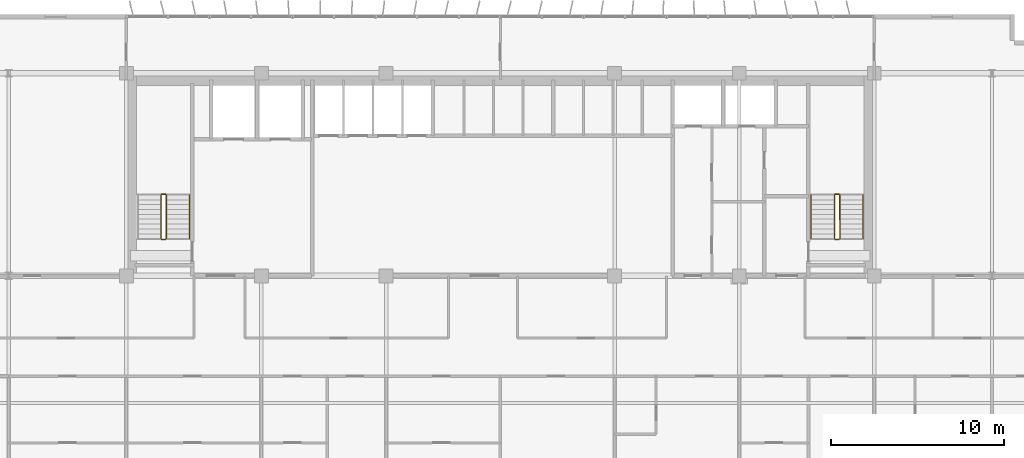
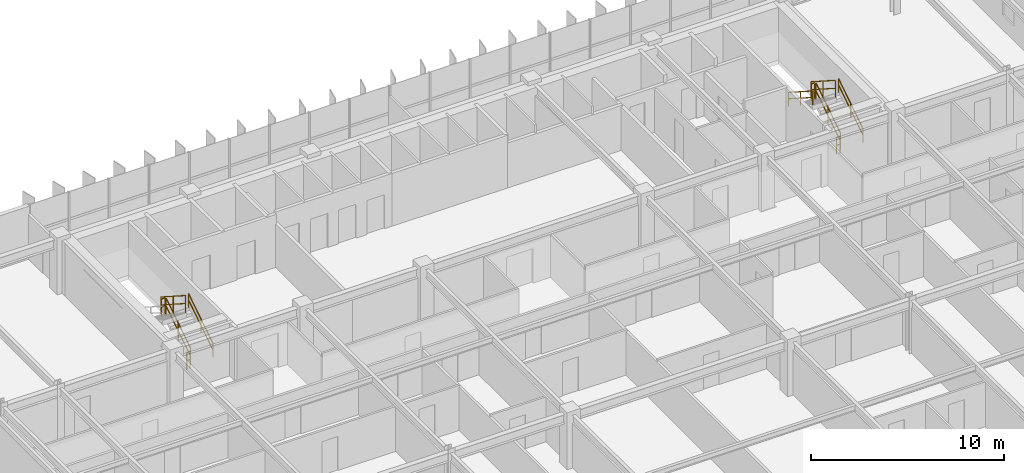
# One storey, part 20 of 21: 11 railings.
"""IFC4 building model written with IfcOpenShell, lengths in metres."""

from ifc_helpers import new_model, si_unit, direction, frame, origin, origin_2d, place, context, subcontext, project, spatial, rectangle, extrude, material, type_object, element, save


model = new_model("IFC4")

# Units and contexts
model_context = context("Model", 3, precision=1e-05, world=origin(), true_north=direction((0.0, 1.0)))
body_context = subcontext(model_context, "Body", "Model", "MODEL_VIEW")
ifc_project = project(units=[si_unit("LENGTHUNIT", "METRE"), si_unit("AREAUNIT", "SQUARE_METRE"), si_unit("VOLUMEUNIT", "CUBIC_METRE"), si_unit("PLANEANGLEUNIT", "RADIAN"), si_unit("MASSUNIT", "GRAM", prefix="KILO")], contexts=[model_context])

# Site, building, storey
site_placement = place(None, origin())
site = spatial("IfcSite", under=ifc_project, at=site_placement, CompositionType="ELEMENT")
building_placement = place(site_placement, origin())
building = spatial("IfcBuilding", under=site, at=building_placement, Name="Trelvane Seafront Commons", CompositionType="ELEMENT")
storey_placement = place(building_placement, frame((0.0, 0.0, 103.300048828125)))
storey = spatial("IfcBuildingStorey", under=building, at=storey_placement, Name="L26", CompositionType="ELEMENT", Elevation=103.300048828125)

# Railings
ifc_material = material(Name="Stainless steel balustrade", Category="steel")
railing_type_1 = type_object("IfcRailingType", Name="ARCH-SRL-GUARD", PredefinedType="GUARDRAIL", material=ifc_material)
railing_1_placement = place(storey_placement, frame((17.89990234375, 35.550048828125, 0.179931640625)))
element("IfcRailing", 1, at=railing_1_placement, inside=storey, type_object=railing_type_1, Name="L26 ST-1 stair guard 1", PredefinedType="GUARDRAIL", context=body_context, shape_type="SweptSolid", body=[
    extrude(rectangle(XDim=0.048095703125, YDim=0.048095703125, at=origin_2d()), frame((0.0, 0.0, 1.076171875), z_axis=(0.0, 0.841162588446, 0.540782303519), x_axis=(-1.0, 0.0, 0.0)), (0.0, 0.0, 1.0), 2.995849609375),
    extrude(rectangle(XDim=0.048095703125, YDim=0.048095703125, at=origin_2d()), frame((0.0, 0.0, 0.572021484375), z_axis=(0.0, 0.841162588446, 0.540782303519), x_axis=(-1.0, 0.0, 0.0)), (0.0, 0.0, 1.0), 2.995849609375),
    extrude(rectangle(XDim=0.0419921875, YDim=0.0419921875, at=origin_2d()), origin(), (0.0, 0.0, 1.0), 1.076171875),
    extrude(rectangle(XDim=0.0419921875, YDim=0.0419921875, at=origin_2d()), frame((0.0, 1.260009765625, 0.81005859375)), (0.0, 0.0, 1.0), 1.076171875),
    extrude(rectangle(XDim=0.0419921875, YDim=0.0419921875, at=origin_2d()), frame((0.0, 2.52001953125, 1.6201171875)), (0.0, 0.0, 1.0), 1.076171875),
])
railing_2_placement = place(storey_placement, frame((17.85009765625, 38.1201171875, 1.800048828125)))
element("IfcRailing", 2, at=railing_2_placement, inside=storey, type_object=railing_type_1, Name="L26 ST-1 stair guard 2", PredefinedType="GUARDRAIL", context=body_context, shape_type="SweptSolid", body=[
    extrude(rectangle(XDim=0.048095703125, YDim=0.048095703125, at=origin_2d()), frame((0.0, 0.0, 1.076171875), z_axis=(-1.0, 0.0, 0.0), x_axis=(0.0, -1.0, 0.0)), (0.0, 0.0, 1.0), 0.2001953125),
    extrude(rectangle(XDim=0.048095703125, YDim=0.048095703125, at=origin_2d()), frame((0.0, 0.0, 0.572021484375), z_axis=(-1.0, 0.0, 0.0), x_axis=(0.0, -1.0, 0.0)), (0.0, 0.0, 1.0), 0.2001953125),
    extrude(rectangle(XDim=0.0419921875, YDim=0.0419921875, at=origin_2d()), origin(), (0.0, 0.0, 1.0), 1.076171875),
    extrude(rectangle(XDim=0.0419921875, YDim=0.0419921875, at=origin_2d()), frame((-0.2001953125, 0.0, 0.0)), (0.0, 0.0, 1.0), 1.076171875),
])
railing_3_placement = place(storey_placement, frame((17.60009765625, 38.070068359375, 1.97998046875)))
element("IfcRailing", 3, at=railing_3_placement, inside=storey, type_object=railing_type_1, Name="L26 ST-1 stair guard 3", PredefinedType="GUARDRAIL", context=body_context, shape_type="SweptSolid", body=[
    extrude(rectangle(XDim=0.048095703125, YDim=0.048095703125, at=origin_2d()), frame((0.0, 0.0, 1.076171875), z_axis=(0.0, -0.841199657755, 0.540724639528), x_axis=(1.0, 0.0, 0.0)), (0.0, 0.0, 1.0), 2.995849609375),
    extrude(rectangle(XDim=0.048095703125, YDim=0.048095703125, at=origin_2d()), frame((0.0, 0.0, 0.572021484375), z_axis=(0.0, -0.841199657755, 0.540724639528), x_axis=(1.0, 0.0, 0.0)), (0.0, 0.0, 1.0), 2.995849609375),
    extrude(rectangle(XDim=0.0419921875, YDim=0.0419921875, at=origin_2d()), origin(), (0.0, 0.0, 1.0), 1.076171875),
    extrude(rectangle(XDim=0.0419921875, YDim=0.0419921875, at=origin_2d()), frame((0.0, -1.260009765625, 0.81005859375)), (0.0, 0.0, 1.0), 1.076171875),
    extrude(rectangle(XDim=0.0419921875, YDim=0.0419921875, at=origin_2d()), frame((0.0, -2.52001953125, 1.619873046875)), (0.0, 0.0, 1.0), 1.076171875),
])
railing_4_placement = place(storey_placement, frame((17.85009765625, 35.5, 0.0)))
element("IfcRailing", 4, at=railing_4_placement, inside=storey, type_object=railing_type_1, Name="L26 ST-1 stair guard 4", PredefinedType="GUARDRAIL", context=body_context, shape_type="SweptSolid", body=[
    extrude(rectangle(XDim=0.048095703125, YDim=0.048095703125, at=origin_2d()), frame((0.0, 0.0, 1.076171875), z_axis=(-1.0, 0.0, 0.0), x_axis=(0.0, -1.0, 0.0)), (0.0, 0.0, 1.0), 0.2001953125),
    extrude(rectangle(XDim=0.048095703125, YDim=0.048095703125, at=origin_2d()), frame((0.0, 0.0, 0.572021484375), z_axis=(-1.0, 0.0, 0.0), x_axis=(0.0, -1.0, 0.0)), (0.0, 0.0, 1.0), 0.2001953125),
    extrude(rectangle(XDim=0.0419921875, YDim=0.0419921875, at=origin_2d()), origin(), (0.0, 0.0, 1.0), 1.076171875),
    extrude(rectangle(XDim=0.0419921875, YDim=0.0419921875, at=origin_2d()), frame((-0.2001953125, 0.0, 0.0)), (0.0, 0.0, 1.0), 1.076171875),
])
railing_5_placement = place(storey_placement, frame((56.800048828125, 35.550048828125, 0.179931640625)))
element("IfcRailing", 5, at=railing_5_placement, inside=storey, type_object=railing_type_1, Name="L26 ST-2 stair guard 1", PredefinedType="GUARDRAIL", context=body_context, shape_type="SweptSolid", body=[
    extrude(rectangle(XDim=0.048095703125, YDim=0.048095703125, at=origin_2d()), frame((0.0, 0.0, 1.076171875), z_axis=(0.0, 0.841162588446, 0.540782303519), x_axis=(-1.0, 0.0, 0.0)), (0.0, 0.0, 1.0), 2.995849609375),
    extrude(rectangle(XDim=0.048095703125, YDim=0.048095703125, at=origin_2d()), frame((0.0, 0.0, 0.572021484375), z_axis=(0.0, 0.841162588446, 0.540782303519), x_axis=(-1.0, 0.0, 0.0)), (0.0, 0.0, 1.0), 2.995849609375),
    extrude(rectangle(XDim=0.0419921875, YDim=0.0419921875, at=origin_2d()), origin(), (0.0, 0.0, 1.0), 1.076171875),
    extrude(rectangle(XDim=0.0419921875, YDim=0.0419921875, at=origin_2d()), frame((0.0, 1.260009765625, 0.81005859375)), (0.0, 0.0, 1.0), 1.076171875),
    extrude(rectangle(XDim=0.0419921875, YDim=0.0419921875, at=origin_2d()), frame((0.0, 2.52001953125, 1.6201171875)), (0.0, 0.0, 1.0), 1.076171875),
])
railing_6_placement = place(storey_placement, frame((56.75, 38.1201171875, 1.800048828125)))
element("IfcRailing", 6, at=railing_6_placement, inside=storey, type_object=railing_type_1, Name="L26 ST-2 stair guard 2", PredefinedType="GUARDRAIL", context=body_context, shape_type="SweptSolid", body=[
    extrude(rectangle(XDim=0.048095703125, YDim=0.048095703125, at=origin_2d()), frame((0.0, 0.0, 1.076171875), z_axis=(-1.0, 0.0, 0.0), x_axis=(0.0, -1.0, 0.0)), (0.0, 0.0, 1.0), 0.199951171875),
    extrude(rectangle(XDim=0.048095703125, YDim=0.048095703125, at=origin_2d()), frame((0.0, 0.0, 0.572021484375), z_axis=(-1.0, 0.0, 0.0), x_axis=(0.0, -1.0, 0.0)), (0.0, 0.0, 1.0), 0.199951171875),
    extrude(rectangle(XDim=0.0419921875, YDim=0.0419921875, at=origin_2d()), origin(), (0.0, 0.0, 1.0), 1.076171875),
    extrude(rectangle(XDim=0.0419921875, YDim=0.0419921875, at=origin_2d()), frame((-0.199951171875, 0.0, 0.0)), (0.0, 0.0, 1.0), 1.076171875),
])
railing_7_placement = place(storey_placement, frame((56.5, 38.070068359375, 1.97998046875)))
element("IfcRailing", 7, at=railing_7_placement, inside=storey, type_object=railing_type_1, Name="L26 ST-2 stair guard 3", PredefinedType="GUARDRAIL", context=body_context, shape_type="SweptSolid", body=[
    extrude(rectangle(XDim=0.048095703125, YDim=0.048095703125, at=origin_2d()), frame((0.0, 0.0, 1.076171875), z_axis=(0.0, -0.841199657755, 0.540724639528), x_axis=(1.0, 0.0, 0.0)), (0.0, 0.0, 1.0), 2.995849609375),
    extrude(rectangle(XDim=0.048095703125, YDim=0.048095703125, at=origin_2d()), frame((0.0, 0.0, 0.572021484375), z_axis=(0.0, -0.841199657755, 0.540724639528), x_axis=(1.0, 0.0, 0.0)), (0.0, 0.0, 1.0), 2.995849609375),
    extrude(rectangle(XDim=0.0419921875, YDim=0.0419921875, at=origin_2d()), origin(), (0.0, 0.0, 1.0), 1.076171875),
    extrude(rectangle(XDim=0.0419921875, YDim=0.0419921875, at=origin_2d()), frame((0.0, -1.260009765625, 0.81005859375)), (0.0, 0.0, 1.0), 1.076171875),
    extrude(rectangle(XDim=0.0419921875, YDim=0.0419921875, at=origin_2d()), frame((0.0, -2.52001953125, 1.619873046875)), (0.0, 0.0, 1.0), 1.076171875),
])
railing_8_placement = place(storey_placement, frame((56.75, 35.5, 0.0)))
element("IfcRailing", 8, at=railing_8_placement, inside=storey, type_object=railing_type_1, Name="L26 ST-2 stair guard 4", PredefinedType="GUARDRAIL", context=body_context, shape_type="SweptSolid", body=[
    extrude(rectangle(XDim=0.048095703125, YDim=0.048095703125, at=origin_2d()), frame((0.0, 0.0, 1.076171875), z_axis=(-1.0, 0.0, 0.0), x_axis=(0.0, -1.0, 0.0)), (0.0, 0.0, 1.0), 0.199951171875),
    extrude(rectangle(XDim=0.048095703125, YDim=0.048095703125, at=origin_2d()), frame((0.0, 0.0, 0.572021484375), z_axis=(-1.0, 0.0, 0.0), x_axis=(0.0, -1.0, 0.0)), (0.0, 0.0, 1.0), 0.199951171875),
    extrude(rectangle(XDim=0.0419921875, YDim=0.0419921875, at=origin_2d()), origin(), (0.0, 0.0, 1.0), 1.076171875),
    extrude(rectangle(XDim=0.0419921875, YDim=0.0419921875, at=origin_2d()), frame((-0.199951171875, 0.0, 0.0)), (0.0, 0.0, 1.0), 1.076171875),
])
railing_type_2 = type_object("IfcRailingType", Name="ARCH-SRL-HAND", PredefinedType="HANDRAIL", material=ifc_material)
for number, where, name in (
    (9, (19.25, 35.550048828125, 0.179931640625), "L26 ST-1 stair handrail 1"),
    (10, (58.14990234375, 35.550048828125, 0.179931640625), "L26 ST-2 stair handrail 1"),
):
    element("IfcRailing", number, at=place(storey_placement, frame(where)), inside=storey, type_object=railing_type_2, Name=name, PredefinedType="HANDRAIL", context=body_context, shape_type="SweptSolid", body=[
        extrude(rectangle(XDim=0.048095703125, YDim=0.048095703125, at=origin_2d()), frame((0.0, 0.0, 0.8759765625), z_axis=(0.0, 0.841162588446, 0.540782303519), x_axis=(-1.0, 0.0, 0.0)), (0.0, 0.0, 1.0), 2.995849609375),
        extrude(rectangle(XDim=0.048095703125, YDim=0.048095703125, at=origin_2d()), frame((0.0, 0.0, 0.468017578125), z_axis=(0.0, 0.841162588446, 0.540782303519), x_axis=(-1.0, 0.0, 0.0)), (0.0, 0.0, 1.0), 2.995849609375),
        extrude(rectangle(XDim=0.0419921875, YDim=0.0419921875, at=origin_2d()), origin(), (0.0, 0.0, 1.0), 0.8759765625),
        extrude(rectangle(XDim=0.0419921875, YDim=0.0419921875, at=origin_2d()), frame((0.0, 1.260009765625, 0.81005859375)), (0.0, 0.0, 1.0), 0.8759765625),
        extrude(rectangle(XDim=0.0419921875, YDim=0.0419921875, at=origin_2d()), frame((0.0, 2.52001953125, 1.6201171875)), (0.0, 0.0, 1.0), 0.8759765625),
    ])
railing_9_placement = place(storey_placement, frame((55.14990234375, 38.070068359375, 1.97998046875)))
element("IfcRailing", 11, at=railing_9_placement, inside=storey, type_object=railing_type_2, Name="L26 ST-2 stair handrail 2", PredefinedType="HANDRAIL", context=body_context, shape_type="SweptSolid", body=[
    extrude(rectangle(XDim=0.048095703125, YDim=0.048095703125, at=origin_2d()), frame((0.0, 0.0, 0.8759765625), z_axis=(0.0, -0.841199657755, 0.540724639528), x_axis=(1.0, 0.0, 0.0)), (0.0, 0.0, 1.0), 2.995849609375),
    extrude(rectangle(XDim=0.048095703125, YDim=0.048095703125, at=origin_2d()), frame((0.0, 0.0, 0.468017578125), z_axis=(0.0, -0.841199657755, 0.540724639528), x_axis=(1.0, 0.0, 0.0)), (0.0, 0.0, 1.0), 2.995849609375),
    extrude(rectangle(XDim=0.0419921875, YDim=0.0419921875, at=origin_2d()), origin(), (0.0, 0.0, 1.0), 0.8759765625),
    extrude(rectangle(XDim=0.0419921875, YDim=0.0419921875, at=origin_2d()), frame((0.0, -1.260009765625, 0.81005859375)), (0.0, 0.0, 1.0), 0.8759765625),
    extrude(rectangle(XDim=0.0419921875, YDim=0.0419921875, at=origin_2d()), frame((0.0, -2.52001953125, 1.619873046875)), (0.0, 0.0, 1.0), 0.8759765625),
])

save(model, "model.ifc")
